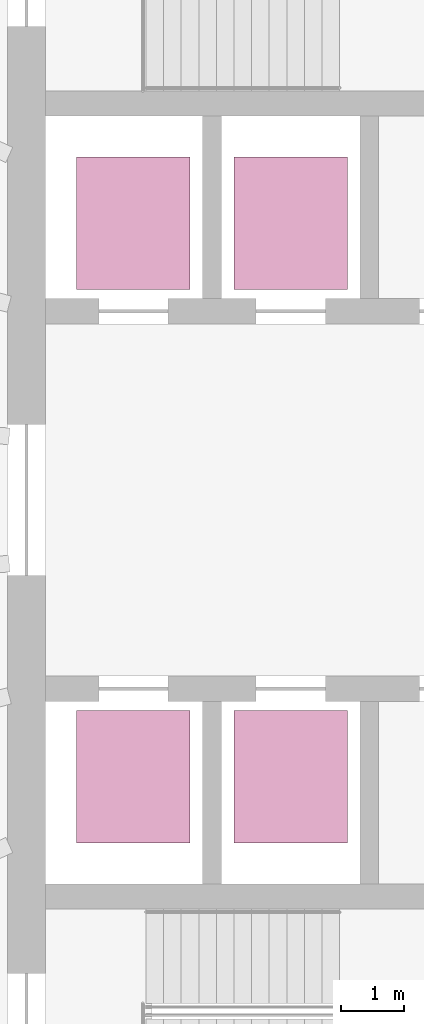
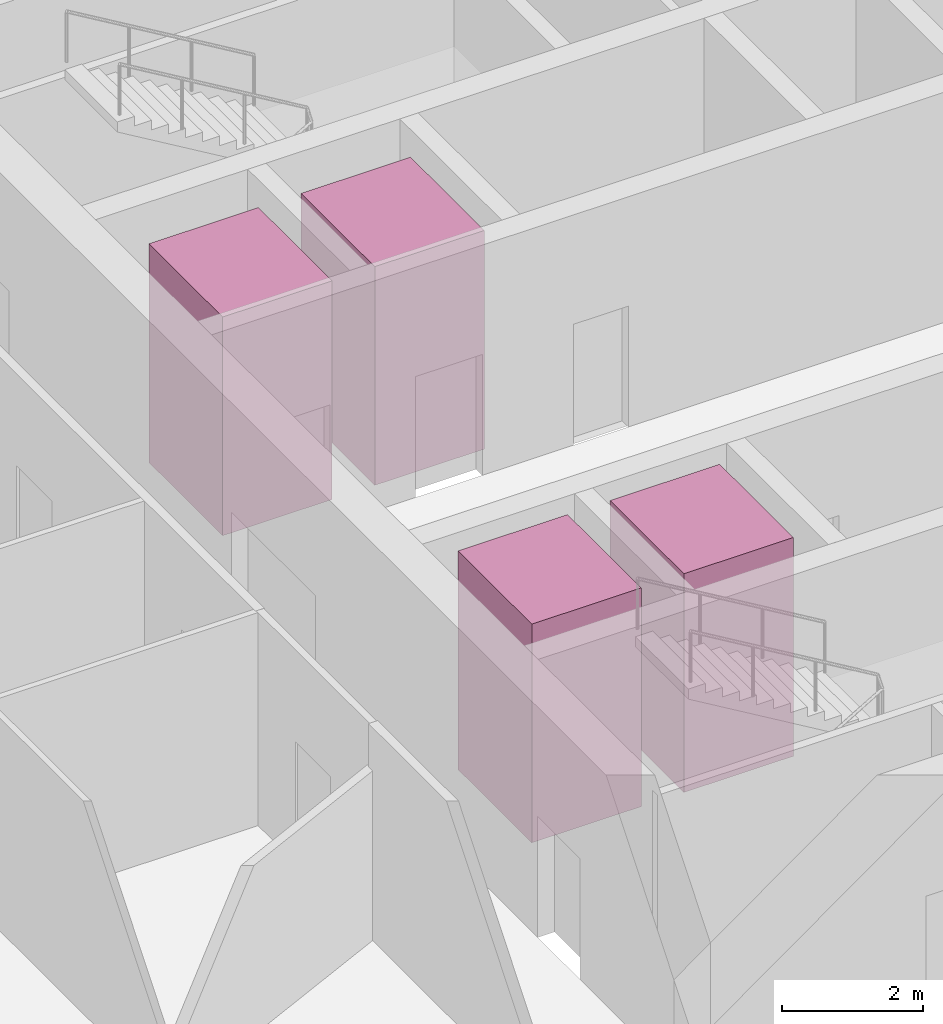
# One storey, part 10 of 10: 4 transport elements.
"""IFC4 building model written with IfcOpenShell, lengths in metres."""

from ifc_helpers import new_model, si_unit, direction, frame, origin, origin_2d, place, context, subcontext, project, spatial, rectangle, extrude, material, type_object, element, save


model = new_model("IFC4")

# Units and contexts
model_context = context("Model", 3, precision=1e-05, world=origin(), true_north=direction((0.0, 1.0)))
body_context = subcontext(model_context, "Body", "Model", "MODEL_VIEW")
ifc_project = project(units=[si_unit("LENGTHUNIT", "METRE"), si_unit("AREAUNIT", "SQUARE_METRE"), si_unit("VOLUMEUNIT", "CUBIC_METRE"), si_unit("PLANEANGLEUNIT", "RADIAN"), si_unit("MASSUNIT", "GRAM", prefix="KILO")], contexts=[model_context])

# Site, building, storey
site_placement = place(None, origin())
site = spatial("IfcSite", under=ifc_project, at=site_placement, CompositionType="ELEMENT")
building_placement = place(site_placement, origin())
building = spatial("IfcBuilding", under=site, at=building_placement, Name="Halqa Exchange Tower", CompositionType="ELEMENT")
storey_placement = place(building_placement, frame((0.0, 0.0, 264.300048828125)))
storey = spatial("IfcBuildingStorey", under=building, at=storey_placement, Name="L61", CompositionType="ELEMENT", Elevation=264.300048828125)

# Transport elements
ifc_material = material(Name="Stainless steel", Category="steel")
transport_element_type = type_object("IfcTransportElementType", Name="High-rise passenger lift 1800 x 2100", PredefinedType="ELEVATOR", material=ifc_material)
for number, where, z_axis, x_axis, name in (
    (1, (-10.0, 4.39990234375, 0.0), (0.0, 0.0, 1.0), (1.0, 0.0, 0.0), "High-rise passenger lift HR1"),
    (2, (-7.5, 4.39990234375, 0.0), (0.0, 0.0, 1.0), (1.0, 0.0, 0.0), "High-rise passenger lift HR2"),
    (3, (-10.0, -4.39990234375, 0.0), (0.0, 0.0, 1.0), (1.0, 0.0, 0.0), "High-rise passenger lift HR3"),
    (4, (-7.5, -4.39990234375, 0.0), (0.0, 0.0, 1.0), (1.0, 0.0, 0.0), "High-rise passenger lift HR4"),
):
    element("IfcTransportElement", number, at=place(storey_placement, frame(where, z_axis=z_axis, x_axis=x_axis)), inside=storey, type_object=transport_element_type, Name=name, PredefinedType="ELEVATOR", context=body_context, shape_type="SweptSolid", body=[
        extrude(rectangle(XDim=1.800048828125, YDim=2.10009765625, at=origin_2d()), origin(), (0.0, 0.0, 1.0), 3.800048828125),
    ])

save(model, "model.ifc")
